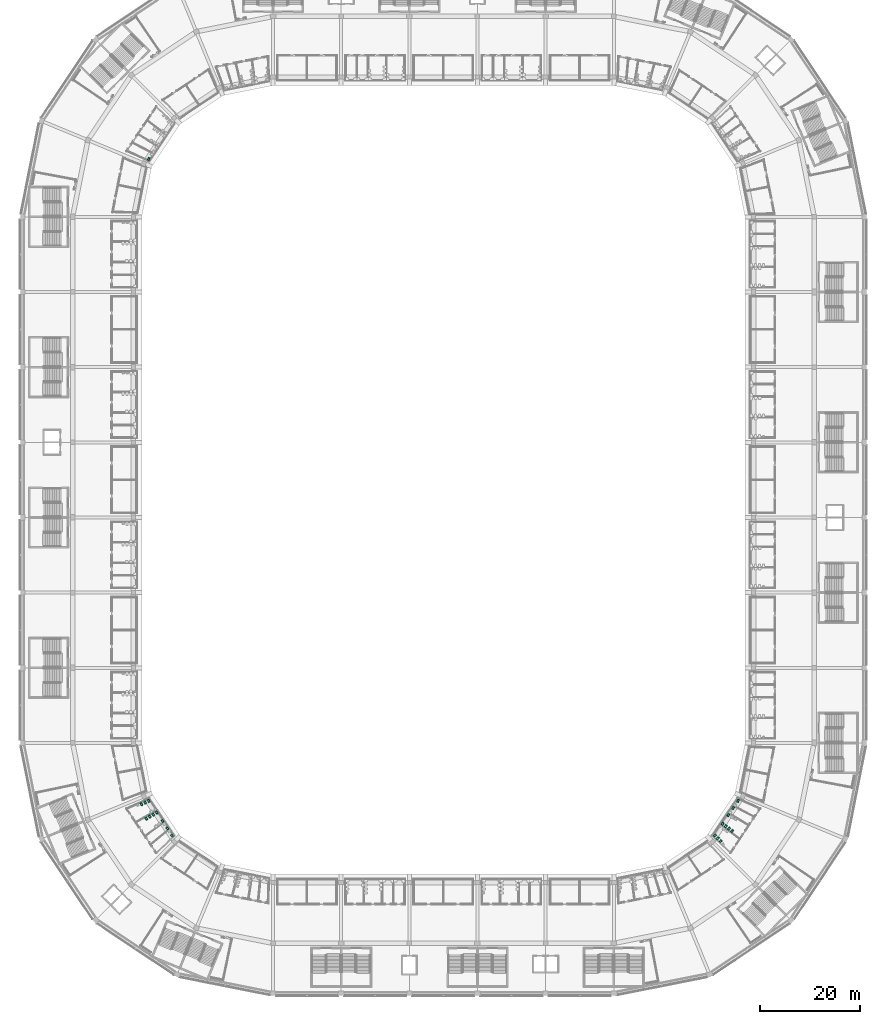
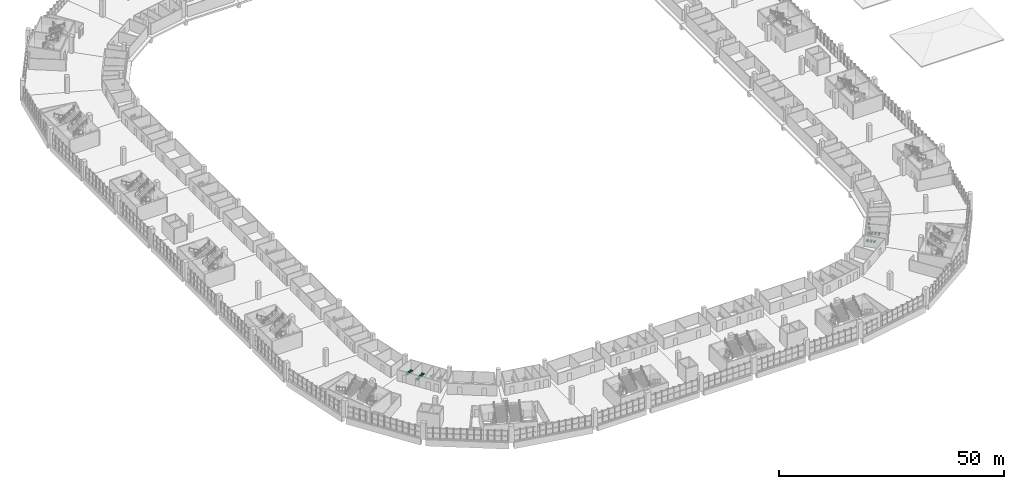
# One storey, part 193 of 199: 21 sanitary terminals.
"""IFC4 building model written with IfcOpenShell, lengths in metres."""

import ifcopenshell
import ifcopenshell.guid

model = None  # the IFC model being written
_history = None  # IfcOwnerHistory: only IFC2X3 demands one
_inside = {}  # id of a spatial element -> (the spatial element, [elements in it])
_under = {}  # id of a project, library or spatial element -> (it, [spatial elements below it])
_declared = {}  # id of a project -> (the project, [libraries it declares])
_typed = {}  # id of a type object -> (the type object, [elements of that type])
_made_of = {}  # id of a material, layer set ... -> (it, [elements and type objects made of it])


def new_model(schema):
    """Start an empty IFC model of exactly this schema.

    Asked for "IFC4X3", IfcOpenShell would pick the latest addendum, in which some entities
    have other attributes; the version numbers below select the first issue.
    IFC2X3 requires an IfcOwnerHistory on every rooted entity: one is made here for all.
    """
    global model, _history
    if schema == "IFC4X3":
        model = ifcopenshell.file(schema_version=(4, 3, 0, 0))
    else:
        model = ifcopenshell.file(schema=schema)
    _inside.clear()
    _under.clear()
    _declared.clear()
    _typed.clear()
    _made_of.clear()
    _history = None
    if model.schema == "IFC2X3":
        org = make("IfcOrganization", Name="unknown")
        user = make(
            "IfcPersonAndOrganization",
            ThePerson=make("IfcPerson", FamilyName="unknown"),
            TheOrganization=org,
        )
        app = make(
            "IfcApplication",
            ApplicationDeveloper=org,
            Version="unknown",
            ApplicationFullName="unknown",
            ApplicationIdentifier="unknown",
        )
        _history = make(
            "IfcOwnerHistory",
            OwningUser=user,
            OwningApplication=app,
            ChangeAction="ADDED",
            CreationDate=0,
        )
    return model


def make(cls, **values):
    """One entity of the class cls with the attributes given. An attribute that is None is left unset."""
    return model.create_entity(
        cls, **{name: value for name, value in values.items() if value is not None}
    )


def rooted(cls, **values):
    """An entity with a GlobalId (a new one), such as an element, a storey or a relation."""
    return make(cls, GlobalId=ifcopenshell.guid.new(), OwnerHistory=_history, **values)


def si_unit(unit_type, name, prefix=None):
    """IfcSIUnit, for example si_unit("LENGTHUNIT", "METRE", prefix="MILLI")."""
    return make("IfcSIUnit", UnitType=unit_type, Prefix=prefix, Name=name)


def assignment(units):
    """IfcUnitAssignment: the units of a project."""
    return None if units is None else make("IfcUnitAssignment", Units=units)


def point(xyz):
    """IfcCartesianPoint."""
    return None if xyz is None else make("IfcCartesianPoint", Coordinates=xyz)


def direction(xyz):
    """IfcDirection."""
    return None if xyz is None else make("IfcDirection", DirectionRatios=xyz)


def frame(location, z_axis=None, x_axis=None):
    """IfcAxis2Placement3D, a coordinate frame: its origin and axes. An axis left out is left unset."""
    return make(
        "IfcAxis2Placement3D",
        Location=point(location),
        Axis=direction(z_axis),
        RefDirection=direction(x_axis),
    )


def frame_2d(location, x_axis=None):
    """IfcAxis2Placement2D, a coordinate frame in the plane: its origin and x axis."""
    return make(
        "IfcAxis2Placement2D", Location=point(location), RefDirection=direction(x_axis)
    )


def origin():
    """The frame at (0, 0, 0) with its axes left unset."""
    return frame((0.0, 0.0, 0.0))


def origin_2d():
    """The frame at (0, 0) in the plane with its x axis left unset."""
    return frame_2d((0.0, 0.0))


def place(relative_to, where):
    """IfcLocalPlacement: puts the frame where relative to a parent placement (None: the world)."""
    return make(
        "IfcLocalPlacement", PlacementRelTo=relative_to, RelativePlacement=where
    )


def context(
    kind, dimensions, precision=None, world=None, true_north=None, identifier=None
):
    """IfcGeometricRepresentationContext, for example the 3D "Model" context."""
    return make(
        "IfcGeometricRepresentationContext",
        ContextIdentifier=identifier,
        ContextType=kind,
        CoordinateSpaceDimension=dimensions,
        Precision=precision,
        WorldCoordinateSystem=world,
        TrueNorth=true_north,
    )


def subcontext(parent, identifier, kind, view, scale=None):
    """IfcGeometricRepresentationSubContext, for example "Body" below "Model"."""
    return make(
        "IfcGeometricRepresentationSubContext",
        ContextIdentifier=identifier,
        ContextType=kind,
        ParentContext=parent,
        TargetScale=scale,
        TargetView=view,
    )


def project(units=None, contexts=None):
    """IfcProject with its units and contexts."""
    return rooted(
        "IfcProject",
        Name="project",
        RepresentationContexts=contexts,
        UnitsInContext=assignment(units),
    )


def spatial(cls, under=None, at=None, **own):
    """A site, building, storey or space (cls), placed at a placement, below another one or the project."""
    s = rooted(cls, ObjectPlacement=at, **own)
    if under is not None:
        _under.setdefault(under.id(), (under, []))[1].append(s)
    return s


def profile(cls, at=None, kind="AREA", **sizes):
    """A parametric profile (cls). Its sizes go by their IFC names, for example OverallWidth=200.0."""
    return make(cls, ProfileType=kind, Position=at, **sizes)


def rectangle(**sizes):
    """IfcRectangleProfileDef."""
    return profile("IfcRectangleProfileDef", **sizes)


def extrude(swept, where, along, depth):
    """IfcExtrudedAreaSolid: the profile swept, set in the frame where, extruded along a direction by depth."""
    return make(
        "IfcExtrudedAreaSolid",
        SweptArea=swept,
        Position=where,
        ExtrudedDirection=direction(along),
        Depth=depth,
    )


def shape(context_of_items, identifier, shape_type, items):
    """IfcShapeRepresentation: the items that make up one representation, for example the "Body"."""
    return make(
        "IfcShapeRepresentation",
        ContextOfItems=context_of_items,
        RepresentationIdentifier=identifier,
        RepresentationType=shape_type,
        Items=items,
    )


def material(Name=None, Category=None):
    """IfcMaterial."""
    return make("IfcMaterial", Name=Name, Category=Category)


def made_of(thing, what):
    """Note that an element or type object is made of a material, layer set ...; save() writes the relation."""
    if what is not None:
        _made_of.setdefault(what.id(), (what, []))[1].append(thing)
    return thing


def type_object(cls, material=None, **own):
    """A type object (cls), such as IfcWallType, which elements share."""
    return made_of(rooted(cls, **own), material)


def element(
    cls,
    number,
    at=None,
    inside=None,
    cuts=None,
    type_object=None,
    material=None,
    context=None,
    identifier="Body",
    shape_type=None,
    held_by="IfcProductDefinitionShape",
    body=None,
    shapes=None,
    **own,
):
    """One element of the class cls, such as IfcWall. Its Tag is "e" and its number.

    at: its placement. inside: the storey or other place that contains it. cuts: it is an
    opening in that element (IfcRelVoidsElement). A single representation is given by context,
    identifier, shape_type and body (its items); several are given by shapes. held_by: the class
    of the entity that holds the representations. save() writes the other relations.
    """
    e = rooted(cls, Tag="e%d" % number, ObjectPlacement=at, **own)
    if body is not None:
        shapes = [shape(context, identifier, shape_type, body)]
    if shapes is not None:
        e.Representation = make(held_by, Representations=shapes)
    if inside is not None:
        _inside.setdefault(inside.id(), (inside, []))[1].append(e)
    if cuts is not None:
        rooted(
            "IfcRelVoidsElement", RelatingBuildingElement=cuts, RelatedOpeningElement=e
        )
    if type_object is not None:
        _typed.setdefault(type_object.id(), (type_object, []))[1].append(e)
    return made_of(e, material)


def aggregate(whole, parts):
    """IfcRelAggregates: a whole, such as a stair, and the parts it consists of."""
    return rooted("IfcRelAggregates", RelatingObject=whole, RelatedObjects=parts)


def save(model, path):
    """Write the relations noted so far, then the file.

    IfcRelAggregates (storeys below a building ...), IfcRelContainedInSpatialStructure (elements
    in a storey), IfcRelDefinesByType, IfcRelAssociatesMaterial and IfcRelDeclares: one each for
    every whole, place, type object, material and project.
    """
    for whole, parts in _under.values():
        aggregate(whole, parts)
    for where, things in _inside.values():
        rooted(
            "IfcRelContainedInSpatialStructure",
            RelatedElements=things,
            RelatingStructure=where,
        )
    for kind, things in _typed.values():
        rooted("IfcRelDefinesByType", RelatedObjects=things, RelatingType=kind)
    for what, things in _made_of.values():
        rooted("IfcRelAssociatesMaterial", RelatedObjects=things, RelatingMaterial=what)
    for by, libraries in _declared.values():
        rooted("IfcRelDeclares", RelatingContext=by, RelatedDefinitions=libraries)
    model.write(path)


model = new_model("IFC4")

# Units and contexts
model_context = context("Model", 3, precision=1e-05, world=origin(), true_north=direction((0.0, 1.0)))
body_context = subcontext(model_context, "Body", "Model", "MODEL_VIEW")
ifc_project = project(units=[si_unit("LENGTHUNIT", "METRE"), si_unit("AREAUNIT", "SQUARE_METRE"), si_unit("VOLUMEUNIT", "CUBIC_METRE"), si_unit("PLANEANGLEUNIT", "RADIAN"), si_unit("MASSUNIT", "GRAM", prefix="KILO")], contexts=[model_context])

# Site, building, storey
site_placement = place(None, origin())
site = spatial("IfcSite", under=ifc_project, at=site_placement, CompositionType="ELEMENT")
building_placement = place(site_placement, origin())
building = spatial("IfcBuilding", under=site, at=building_placement, Name="Ogive Plaza Stadium", CompositionType="ELEMENT")
storey_placement = place(building_placement, frame((0.0, 0.0, 4.5)))
storey = spatial("IfcBuildingStorey", under=building, at=storey_placement, Name="L01", CompositionType="ELEMENT", Elevation=4.5)

# Sanitary terminals
ifc_material = material(Name="Vitreous china", Category="ceramic")
sanitary_terminal_type = type_object("IfcSanitaryTerminalType", Name="Water closet", PredefinedType="TOILETPAN", material=ifc_material)
for number, where, z_axis, x_axis, name in (
    (1, (54.17138671875, -70.993896484375, 0.0), (0.0, 0.0, 1.0), (0.72963734478, -0.683834296524, 0.0), "Water closet L01-026"),
    (2, (54.755126953125, -71.541015625, 0.0), (0.0, 0.0, 1.0), (0.72963734478, -0.683834296524, 0.0), "Water closet L01-026"),
    (3, (55.3388671875, -72.087890625, 0.0), (0.0, 0.0, 1.0), (0.72963734478, -0.683834296524, 0.0), "Water closet L01-026"),
    (4, (-58.805419921875, -64.05859375, 0.0), (0.0, 0.0, 1.0), (-0.91100063367, -0.412404953235, 0.0), "Water closet L01-061"),
    (5, (-59.5341796875, -64.388427734375, 0.0), (0.0, 0.0, 1.0), (-0.91100063367, -0.412404953235, 0.0), "Water closet L01-061"),
    (6, (-60.262939453125, -64.718505859375, 0.0), (0.0, 0.0, 1.0), (-0.91100063367, -0.412404953235, 0.0), "Water closet L01-061"),
    (7, (55.712646484375, -68.637451171875, 0.0), (0.0, 0.0, 1.0), (0.795936498762, -0.605380120205, 0.0), "Water closet L01-027"),
    (8, (56.349365234375, -69.12158203125, 0.0), (0.0, 0.0, 1.0), (0.795936498762, -0.605380120205, 0.0), "Water closet L01-027"),
    (9, (56.986083984375, -69.60595703125, 0.0), (0.0, 0.0, 1.0), (0.795936498762, -0.605380120205, 0.0), "Water closet L01-027"),
    (10, (57.622802734375, -70.09033203125, 0.0), (0.0, 0.0, 1.0), (0.795936498762, -0.605380120205, 0.0), "Water closet L01-027"),
    (11, (56.859375, -66.908935546875, 0.0), (0.0, 0.0, 1.0), (0.851834830375, -0.523810482675, 0.0), "Water closet L01-027"),
    (12, (-57.218017578125, -66.38427734375, 0.0), (0.0, 0.0, 1.0), (-0.863890013737, -0.503680498099, 0.0), "Water closet L01-062"),
    (13, (-57.9091796875, -66.787109375, 0.0), (0.0, 0.0, 1.0), (-0.863890013737, -0.503680498099, 0.0), "Water closet L01-062"),
    (14, (-58.600341796875, -67.190185546875, 0.0), (0.0, 0.0, 1.0), (-0.863890013737, -0.503680498099, 0.0), "Water closet L01-062"),
    (15, (-59.29150390625, -67.593017578125, 0.0), (0.0, 0.0, 1.0), (-0.863890013737, -0.503680498099, 0.0), "Water closet L01-062"),
    (16, (-56.06005859375, -68.105224609375, 0.0), (0.0, 0.0, 1.0), (-0.809920860554, -0.586539171445, 0.0), "Water closet L01-062"),
    (17, (57.832763671875, -65.484619140625, 0.0), (0.0, 0.0, 1.0), (0.883365946079, -0.468683907669, 0.0), "Water closet L01-028"),
    (18, (58.805419921875, -64.05859375, 0.0), (0.0, 0.0, 1.0), (0.91100063367, -0.412404953235, 0.0), "Water closet L01-029"),
    (19, (-55.116455078125, -69.549560546875, 0.0), (0.0, 0.0, 1.0), (-0.771056981793, -0.636766150819, 0.0), "Water closet L01-063"),
    (20, (-54.17138671875, -70.993896484375, 0.0), (0.0, 0.0, 1.0), (-0.72963734478, -0.683834296524, 0.0), "Water closet L01-064"),
    (21, (-58.805419921875, 64.05859375, 0.0), (0.0, 0.0, 1.0), (-0.91100063367, 0.412404953235, 0.0), "Water closet L01-097"),
):
    element("IfcSanitaryTerminal", number, at=place(storey_placement, frame(where, z_axis=z_axis, x_axis=x_axis)), inside=storey, type_object=sanitary_terminal_type, Name=name, PredefinedType="TOILETPAN", context=body_context, shape_type="SweptSolid", body=[
        extrude(rectangle(XDim=0.39990234375, YDim=0.60009765625, at=origin_2d()), origin(), (0.0, 0.0, 1.0), 0.39990234375),
    ])

save(model, "model.ifc")
